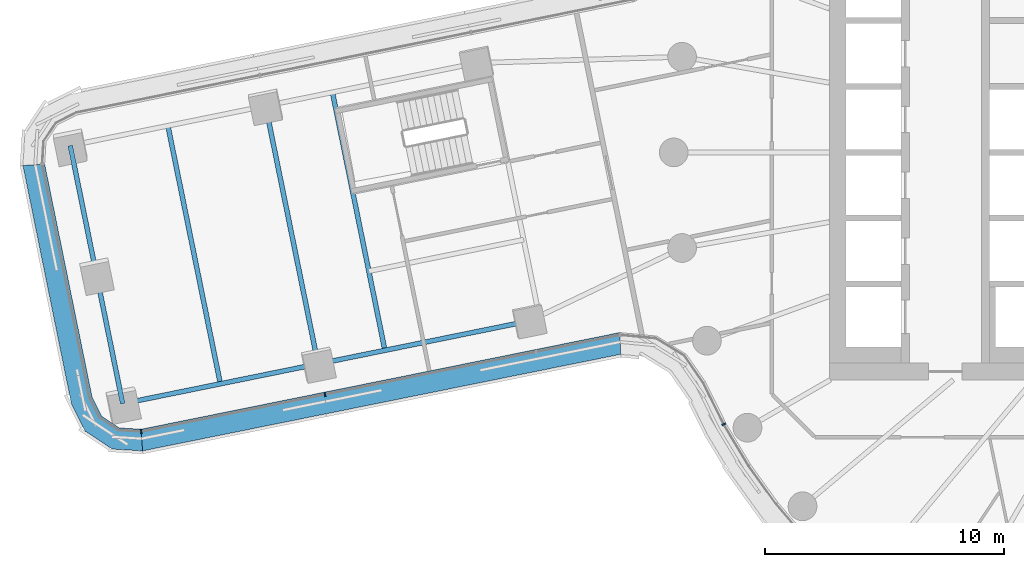
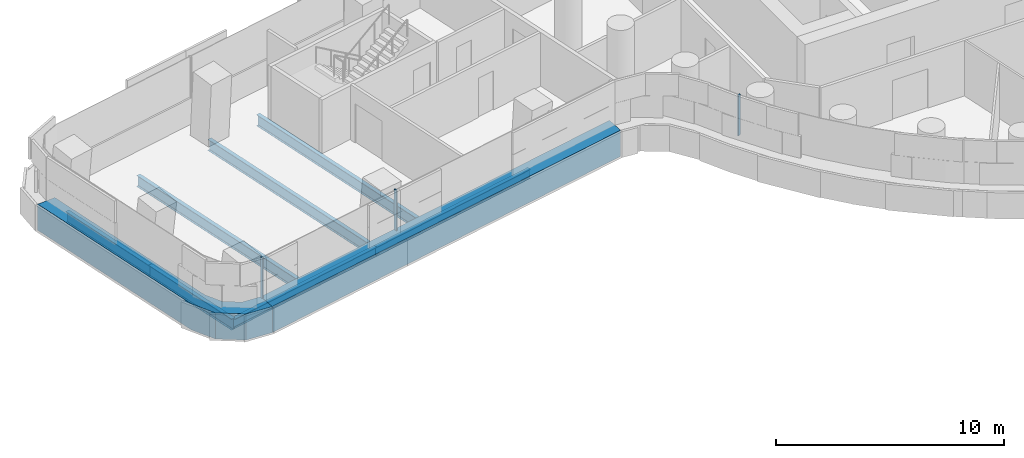
# One storey, part 4 of 31: 7 beams, 5 members, 3 elements without a shape of their own.
"""IFC4 building model written with IfcOpenShell, lengths in metres."""

from ifc_helpers import new_model, si_unit, direction, frame, origin, origin_2d, place, context, subcontext, project, spatial, polyline, rectangle, i_section, outline, extrude, material, layer, layer_set, material_profile, profile_set, type_object, element, aggregate, save


model = new_model("IFC4")

# Units and contexts
model_context = context("Model", 3, precision=1e-05, world=origin(), true_north=direction((0.0, 1.0)))
body_context = subcontext(model_context, "Body", "Model", "MODEL_VIEW")
ifc_project = project(units=[si_unit("LENGTHUNIT", "METRE"), si_unit("AREAUNIT", "SQUARE_METRE"), si_unit("VOLUMEUNIT", "CUBIC_METRE"), si_unit("PLANEANGLEUNIT", "RADIAN"), si_unit("MASSUNIT", "GRAM", prefix="KILO")], contexts=[model_context])

# Site, building, storey
site_placement = place(None, origin())
site = spatial("IfcSite", under=ifc_project, at=site_placement, CompositionType="ELEMENT")
building_placement = place(site_placement, origin())
building = spatial("IfcBuilding", under=site, at=building_placement, Name="Tamarind Cross Interchange Tower", CompositionType="ELEMENT")
storey_placement = place(building_placement, frame((0.0, 0.0, 75.25)))
storey = spatial("IfcBuildingStorey", under=building, at=storey_placement, Name="L17", CompositionType="ELEMENT", Elevation=75.25)

# Beams
ifc_material_1 = material(Name="Steel Q355B", Category="steel")
ifc_material_profile_1 = material_profile(ifc_material_1, i_section(OverallWidth=0.198974609375, OverallDepth=0.49609375, WebThickness=0.009033203125, FlangeThickness=0.013916015625, FilletRadius=0.012939453125, at=origin_2d()), Name="HN 496x199x9x14")
ifc_profile_set_1 = profile_set([ifc_material_profile_1], Name="Steel Q355B")
beam_type_1 = type_object("IfcBeamType", Name="Composite beam HN 496x199x9x14 Q355B", PredefinedType="BEAM", material=ifc_profile_set_1)
beam_1_placement = place(storey_placement, frame((-46.018310546875, -10.49609375, -0.387939453125), z_axis=(0.979947626688, 0.199255235689, 0.0), x_axis=(-0.199255235689, 0.979947626688, 0.0)))
element("IfcBeam", 1, at=beam_1_placement, inside=storey, type_object=beam_type_1, Name="Beam W-edgeep2", PredefinedType="BEAM", context=body_context, shape_type="SweptSolid", body=[
    extrude(i_section(OverallWidth=0.198974609375, OverallDepth=0.49609375, WebThickness=0.009033203125, FlangeThickness=0.013916015625, FilletRadius=0.012939453125, at=origin_2d()), origin(), (0.0, 0.0, 1.0), 8.328125),
])
beam_2_placement = place(storey_placement, frame((-37.857177734375, -8.836669921875, -0.387939453125), z_axis=(0.979948604035, 0.199250428984, 0.0), x_axis=(-0.199250428984, 0.979948604035, 0.0)))
element("IfcBeam", 2, at=beam_2_placement, inside=storey, type_object=beam_type_1, Name="Beam W-edgeep3", PredefinedType="BEAM", context=body_context, shape_type="SweptSolid", body=[
    extrude(i_section(OverallWidth=0.198974609375, OverallDepth=0.49609375, WebThickness=0.009033203125, FlangeThickness=0.013916015625, FilletRadius=0.012939453125, at=origin_2d()), origin(), (0.0, 0.0, 1.0), 8.999755859375),
])
ifc_material_profile_2 = material_profile(ifc_material_1, i_section(OverallWidth=0.199951171875, OverallDepth=0.60009765625, WebThickness=0.010986328125, FlangeThickness=0.01708984375, FilletRadius=0.012939453125, at=origin_2d()), Name="HN 600x200x11x17")
ifc_profile_set_2 = profile_set([ifc_material_profile_2], Name="Steel Q355B")
beam_type_2 = type_object("IfcBeamType", Name="Composite beam HN 600x200x11x17 Q355B", PredefinedType="BEAM", material=ifc_profile_set_2)
beam_3_placement = place(storey_placement, frame((-48.2099609375, 0.283447265625, -0.43994140625), z_axis=(0.199222452549, -0.979954291995, 0.0), x_axis=(0.979954291995, 0.199222452549, 0.0)))
element("IfcBeam", 3, at=beam_3_placement, inside=storey, type_object=beam_type_2, Name="Beam W-tip0", PredefinedType="BEAM", context=body_context, shape_type="SweptSolid", body=[
    extrude(i_section(OverallWidth=0.199951171875, OverallDepth=0.60009765625, WebThickness=0.010986328125, FlangeThickness=0.01708984375, FilletRadius=0.012939453125, at=origin_2d()), origin(), (0.0, 0.0, 1.0), 5.5),
])
beam_4_placement = place(storey_placement, frame((-47.1142578125, -5.106201171875, -0.43994140625), z_axis=(0.199256412643, -0.979947387374, 0.0), x_axis=(0.979947387374, 0.199256412643, 0.0)))
element("IfcBeam", 4, at=beam_4_placement, inside=storey, type_object=beam_type_2, Name="Beam W-tip1", PredefinedType="BEAM", context=body_context, shape_type="SweptSolid", body=[
    extrude(i_section(OverallWidth=0.199951171875, OverallDepth=0.60009765625, WebThickness=0.010986328125, FlangeThickness=0.01708984375, FilletRadius=0.012939453125, at=origin_2d()), origin(), (0.0, 0.0, 1.0), 5.500244140625),
])
beam_5_placement = place(storey_placement, frame((-37.256103515625, 2.5107421875, -0.43994140625), z_axis=(0.19923943307, -0.979950839741, 0.0), x_axis=(0.979950839741, 0.19923943307, 0.0)))
element("IfcBeam", 5, at=beam_5_placement, inside=storey, type_object=beam_type_2, Name="Beam W-x364", PredefinedType="BEAM", context=body_context, shape_type="SweptSolid", body=[
    extrude(i_section(OverallWidth=0.199951171875, OverallDepth=0.60009765625, WebThickness=0.010986328125, FlangeThickness=0.01708984375, FilletRadius=0.012939453125, at=origin_2d()), origin(), (0.0, 0.0, 1.0), 11.0),
])
beam_6_placement = place(storey_placement, frame((-40.049072265625, 1.94287109375, -0.43994140625), z_axis=(0.199260746325, -0.97994650618, 0.0), x_axis=(0.97994650618, 0.199260746325, 0.0)))
element("IfcBeam", 6, at=beam_6_placement, inside=storey, type_object=beam_type_2, Name="Beam W-x393", PredefinedType="BEAM", context=body_context, shape_type="SweptSolid", body=[
    extrude(i_section(OverallWidth=0.199951171875, OverallDepth=0.60009765625, WebThickness=0.010986328125, FlangeThickness=0.01708984375, FilletRadius=0.012939453125, at=origin_2d()), origin(), (0.0, 0.0, 1.0), 11.000244140625),
])
beam_7_placement = place(storey_placement, frame((-44.12939453125, 1.113037109375, -0.43994140625), z_axis=(0.199243766512, -0.979949958675, 0.0), x_axis=(0.979949958675, 0.199243766512, 0.0)))
element("IfcBeam", 7, at=beam_7_placement, inside=storey, type_object=beam_type_2, Name="Beam W-x435", PredefinedType="BEAM", context=body_context, shape_type="SweptSolid", body=[
    extrude(i_section(OverallWidth=0.199951171875, OverallDepth=0.60009765625, WebThickness=0.010986328125, FlangeThickness=0.01708984375, FilletRadius=0.012939453125, at=origin_2d()), origin(), (0.0, 0.0, 1.0), 10.999755859375),
])

# Curtain wall, member
ifc_material_2 = material(Name="Aluminium 6063-T6", Category="aluminium")
ifc_layer = layer(ifc_material_2, 0.159912109375)
ifc_layer_set = layer_set([ifc_layer], Name="Aluminium 6063-T6")
curtain_wall_type = type_object("IfcCurtainWallType", Name="Office curtain wall, 9.0 m bays", PredefinedType="NOTDEFINED", material=ifc_layer_set)
curtain_wall_1_placement = place(storey_placement, origin())
curtain_wall_1 = element("IfcCurtainWall", 8, at=curtain_wall_1_placement, inside=storey, type_object=curtain_wall_type, Name="CWS-L17-00", PredefinedType="NOTDEFINED")
ifc_material_3 = material(Name="Aluminium and insulated spandrel panel", Category="aluminium")
member_type_1 = type_object("IfcMemberType", Name="Floor-edge blade transom", PredefinedType="USERDEFINED", material=ifc_material_3)
member_1_placement = place(storey_placement, origin())
member_1 = element("IfcMember", 9, at=member_1_placement, type_object=member_type_1, Name="CWT-L17-00", ObjectType="TRANSOM", PredefinedType="USERDEFINED", context=body_context, shape_type="SweptSolid", body=[
    extrude(outline(polyline([(-49.278564453125, -0.484375), (-47.3017578125, -10.206298828125), (-46.8935546875, -11.025634765625), (-46.164306640625, -11.508544921875), (-45.25048828125, -11.564453125), (-45.187744140625, -12.469970703125), (-46.4599609375, -12.39208984375), (-47.59130859375, -11.64306640625), (-48.16015625, -10.501708984375), (-50.18408203125, -0.547607421875), (-49.278564453125, -0.484375)])), origin(), (0.0, 0.0, 1.0), 1.39990234375),
])
aggregate(curtain_wall_1, [member_1])

# Curtain wall, members
curtain_wall_2_placement = place(storey_placement, origin())
curtain_wall_2 = element("IfcCurtainWall", 10, at=curtain_wall_2_placement, inside=storey, type_object=curtain_wall_type, Name="CWS-L17-01", PredefinedType="NOTDEFINED")
member_2_placement = place(storey_placement, origin())
member_2 = element("IfcMember", 11, at=member_2_placement, type_object=member_type_1, Name="CWT-L17-01", ObjectType="TRANSOM", PredefinedType="USERDEFINED", context=body_context, shape_type="SweptSolid", body=[
    extrude(outline(polyline([(-45.25048828125, -11.564453125), (-25.258544921875, -7.525634765625), (-25.211181640625, -8.434326171875), (-45.187744140625, -12.469970703125), (-45.25048828125, -11.564453125)])), origin(), (0.0, 0.0, 1.0), 1.39990234375),
])
ifc_material_profile_3 = material_profile(ifc_material_2, rectangle(XDim=0.06005859375, YDim=0.159912109375, at=origin_2d()), Name="Mullion CW1")
ifc_profile_set_3 = profile_set([ifc_material_profile_3], Name="Aluminium 6063-T6")
member_type_2 = type_object("IfcMemberType", Name="Mullion CW1", PredefinedType="MULLION", material=ifc_profile_set_3)
member_3_placement = place(storey_placement, frame((-45.243408203125, -11.6650390625, 1.39990234375), z_axis=(0.0, 0.0, 1.0), x_axis=(0.997616022677, 0.069009211684, 0.0)))
member_3 = element("IfcMember", 12, at=member_3_placement, type_object=member_type_2, Name="CWM-L17-01-00", PredefinedType="MULLION", context=body_context, shape_type="SweptSolid", body=[
    extrude(rectangle(XDim=0.06005859375, YDim=0.159912109375, at=origin_2d()), origin(), (0.0, 0.0, 1.0), 2.170166015625),
])
member_4_placement = place(storey_placement, frame((-37.569091796875, -10.11474609375, 1.39990234375), z_axis=(0.0, 0.0, 1.0), x_axis=(0.980197408272, 0.19802282903, 0.0)))
member_4 = element("IfcMember", 13, at=member_4_placement, type_object=member_type_2, Name="CWM-L17-01-01", PredefinedType="MULLION", context=body_context, shape_type="SweptSolid", body=[
    extrude(rectangle(XDim=0.06005859375, YDim=0.159912109375, at=origin_2d()), origin(), (0.0, 0.0, 1.0), 2.170166015625),
])
aggregate(curtain_wall_2, [member_3, member_4, member_2])

# Curtain wall, member
curtain_wall_3_placement = place(storey_placement, origin())
curtain_wall_3 = element("IfcCurtainWall", 14, at=curtain_wall_3_placement, inside=storey, type_object=curtain_wall_type, Name="CWS-L17-02", PredefinedType="NOTDEFINED")
member_5_placement = place(storey_placement, frame((-20.907958984375, -11.3564453125, 1.39990234375), z_axis=(0.0, 0.0, 1.0), x_axis=(0.443058811505, -0.896492548518, 0.0)))
member_5 = element("IfcMember", 15, at=member_5_placement, type_object=member_type_2, Name="CWM-L17-02-01", PredefinedType="MULLION", context=body_context, shape_type="SweptSolid", body=[
    extrude(rectangle(XDim=0.06005859375, YDim=0.159912109375, at=origin_2d()), origin(), (0.0, 0.0, 1.0), 2.170166015625),
])
aggregate(curtain_wall_3, [member_5])

save(model, "model.ifc")
